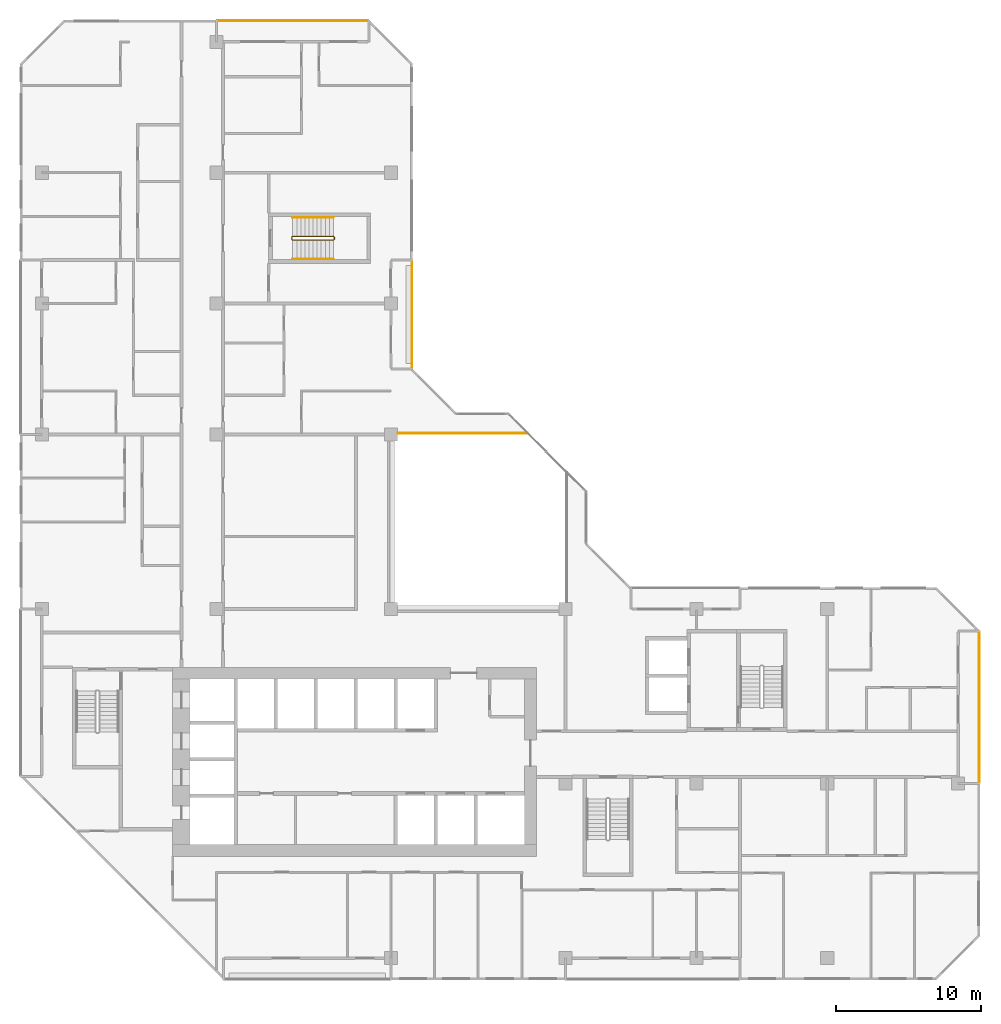
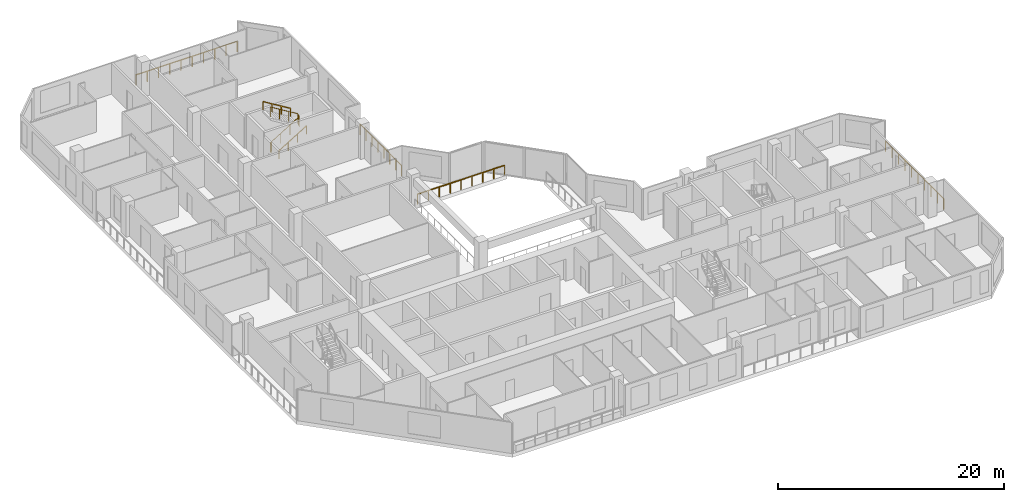
# One storey, part 14 of 14: 7 railings.
"""IFC4 building model written with IfcOpenShell, lengths in metres."""

from ifc_helpers import new_model, si_unit, direction, frame, origin, origin_2d, place, context, subcontext, project, spatial, rectangle, extrude, material, type_object, element, save


model = new_model("IFC4")

# Units and contexts
model_context = context("Model", 3, precision=1e-05, world=origin(), true_north=direction((0.0, 1.0)))
body_context = subcontext(model_context, "Body", "Model", "MODEL_VIEW")
ifc_project = project(units=[si_unit("LENGTHUNIT", "METRE"), si_unit("AREAUNIT", "SQUARE_METRE"), si_unit("VOLUMEUNIT", "CUBIC_METRE"), si_unit("PLANEANGLEUNIT", "RADIAN"), si_unit("MASSUNIT", "GRAM", prefix="KILO")], contexts=[model_context])

# Site, building, storey
site_placement = place(None, origin())
site = spatial("IfcSite", under=ifc_project, at=site_placement, CompositionType="ELEMENT")
building_placement = place(site_placement, origin())
building = spatial("IfcBuilding", under=site, at=building_placement, Name="Chenar Terraces", CompositionType="ELEMENT")
storey_placement = place(building_placement, frame((0.0, 0.0, 183.64990234375)))
storey = spatial("IfcBuildingStorey", under=building, at=storey_placement, Name="L42", CompositionType="ELEMENT", Elevation=183.64990234375)

# Railings
ifc_material_1 = material(Name="Powder-coated steel", Category="steel")
railing_type_1 = type_object("IfcRailingType", Name="Guard 1100 steel rail with glass infill", PredefinedType="GUARDRAIL", material=ifc_material_1)
railing_1_placement = place(storey_placement, frame((24.5, 36.10009765625, 0.0)))
element("IfcRailing", 1, at=railing_1_placement, inside=storey, type_object=railing_type_1, Name="Guard L42-2", PredefinedType="GUARDRAIL", context=body_context, shape_type="SweptSolid", body=[
    extrude(rectangle(XDim=0.06005859375, YDim=0.06005859375, at=origin_2d()), frame((0.0, 0.0, 1.070068359375), z_axis=(1.0, 0.0, 0.0), x_axis=(0.0, 1.0, 0.0)), (0.0, 0.0, 1.0), 8.89990234375),
    extrude(rectangle(XDim=0.050048828125, YDim=0.050048828125, at=origin_2d()), origin(), (0.0, 0.0, 1.0), 1.0400390625),
    extrude(rectangle(XDim=0.050048828125, YDim=0.050048828125, at=origin_2d()), frame((1.112548828125, 0.0, 0.0)), (0.0, 0.0, 1.0), 1.0400390625),
    extrude(rectangle(XDim=0.050048828125, YDim=0.050048828125, at=origin_2d()), frame((2.22509765625, 0.0, 0.0)), (0.0, 0.0, 1.0), 1.0400390625),
    extrude(rectangle(XDim=0.050048828125, YDim=0.050048828125, at=origin_2d()), frame((3.33740234375, 0.0, 0.0)), (0.0, 0.0, 1.0), 1.0400390625),
    extrude(rectangle(XDim=0.050048828125, YDim=0.050048828125, at=origin_2d()), frame((4.449951171875, 0.0, 0.0)), (0.0, 0.0, 1.0), 1.0400390625),
    extrude(rectangle(XDim=0.050048828125, YDim=0.050048828125, at=origin_2d()), frame((5.5625, 0.0, 0.0)), (0.0, 0.0, 1.0), 1.0400390625),
    extrude(rectangle(XDim=0.050048828125, YDim=0.050048828125, at=origin_2d()), frame((6.6748046875, 0.0, 0.0)), (0.0, 0.0, 1.0), 1.0400390625),
    extrude(rectangle(XDim=0.050048828125, YDim=0.050048828125, at=origin_2d()), frame((7.787353515625, 0.0, 0.0)), (0.0, 0.0, 1.0), 1.0400390625),
    extrude(rectangle(XDim=0.050048828125, YDim=0.050048828125, at=origin_2d()), frame((8.89990234375, 0.0, 0.0)), (0.0, 0.0, 1.0), 1.0400390625),
])
ifc_material_2 = material(Name="Stainless steel and glass", Category="steel")
railing_type_2 = type_object("IfcRailingType", Name="Loggia guard 1150", PredefinedType="GUARDRAIL", material=ifc_material_2)
railing_2_placement = place(storey_placement, frame((25.449951171875, 40.574951171875, 0.0)))
element("IfcRailing", 2, at=railing_2_placement, inside=storey, type_object=railing_type_2, Name="Loggia guard", PredefinedType="GUARDRAIL", context=body_context, shape_type="SweptSolid", body=[
    extrude(rectangle(XDim=0.048095703125, YDim=0.048095703125, at=origin_2d()), frame((0.0, 0.0, 1.1259765625), z_axis=(0.0, 1.0, 0.0), x_axis=(-1.0, 0.0, 0.0)), (0.0, 0.0, 1.0), 7.35009765625),
    extrude(rectangle(XDim=0.0419921875, YDim=0.0419921875, at=origin_2d()), origin(), (0.0, 0.0, 1.0), 1.101806640625),
    extrude(rectangle(XDim=0.0419921875, YDim=0.0419921875, at=origin_2d()), frame((0.0, 1.050048828125, 0.0)), (0.0, 0.0, 1.0), 1.101806640625),
    extrude(rectangle(XDim=0.0419921875, YDim=0.0419921875, at=origin_2d()), frame((0.0, 2.10009765625, 0.0)), (0.0, 0.0, 1.0), 1.101806640625),
    extrude(rectangle(XDim=0.0419921875, YDim=0.0419921875, at=origin_2d()), frame((0.0, 3.150146484375, 0.0)), (0.0, 0.0, 1.0), 1.101806640625),
    extrude(rectangle(XDim=0.0419921875, YDim=0.0419921875, at=origin_2d()), frame((0.0, 4.199951171875, 0.0)), (0.0, 0.0, 1.0), 1.101806640625),
    extrude(rectangle(XDim=0.0419921875, YDim=0.0419921875, at=origin_2d()), frame((0.0, 5.25, 0.0)), (0.0, 0.0, 1.0), 1.101806640625),
    extrude(rectangle(XDim=0.0419921875, YDim=0.0419921875, at=origin_2d()), frame((0.0, 6.300048828125, 0.0)), (0.0, 0.0, 1.0), 1.101806640625),
    extrude(rectangle(XDim=0.0419921875, YDim=0.0419921875, at=origin_2d()), frame((0.0, 7.35009765625, 0.0)), (0.0, 0.0, 1.0), 1.101806640625),
])
railing_3_placement = place(storey_placement, frame((64.449951171875, 12.074951171875, 0.0)))
element("IfcRailing", 3, at=railing_3_placement, inside=storey, type_object=railing_type_2, Name="Loggia guard", PredefinedType="GUARDRAIL", context=body_context, shape_type="SweptSolid", body=[
    extrude(rectangle(XDim=0.048095703125, YDim=0.048095703125, at=origin_2d()), frame((0.0, 0.0, 1.1259765625), z_axis=(0.0, 1.0, 0.0), x_axis=(-1.0, 0.0, 0.0)), (0.0, 0.0, 1.0), 10.35009765625),
    extrude(rectangle(XDim=0.0419921875, YDim=0.0419921875, at=origin_2d()), origin(), (0.0, 0.0, 1.0), 1.101806640625),
    extrude(rectangle(XDim=0.0419921875, YDim=0.0419921875, at=origin_2d()), frame((0.0, 1.14990234375, 0.0)), (0.0, 0.0, 1.0), 1.101806640625),
    extrude(rectangle(XDim=0.0419921875, YDim=0.0419921875, at=origin_2d()), frame((0.0, 2.300048828125, 0.0)), (0.0, 0.0, 1.0), 1.101806640625),
    extrude(rectangle(XDim=0.0419921875, YDim=0.0419921875, at=origin_2d()), frame((0.0, 3.449951171875, 0.0)), (0.0, 0.0, 1.0), 1.101806640625),
    extrude(rectangle(XDim=0.0419921875, YDim=0.0419921875, at=origin_2d()), frame((0.0, 4.60009765625, 0.0)), (0.0, 0.0, 1.0), 1.101806640625),
    extrude(rectangle(XDim=0.0419921875, YDim=0.0419921875, at=origin_2d()), frame((0.0, 5.75, 0.0)), (0.0, 0.0, 1.0), 1.101806640625),
    extrude(rectangle(XDim=0.0419921875, YDim=0.0419921875, at=origin_2d()), frame((0.0, 6.900146484375, 0.0)), (0.0, 0.0, 1.0), 1.101806640625),
    extrude(rectangle(XDim=0.0419921875, YDim=0.0419921875, at=origin_2d()), frame((0.0, 8.050048828125, 0.0)), (0.0, 0.0, 1.0), 1.101806640625),
    extrude(rectangle(XDim=0.0419921875, YDim=0.0419921875, at=origin_2d()), frame((0.0, 9.2001953125, 0.0)), (0.0, 0.0, 1.0), 1.101806640625),
    extrude(rectangle(XDim=0.0419921875, YDim=0.0419921875, at=origin_2d()), frame((0.0, 10.35009765625, 0.0)), (0.0, 0.0, 1.0), 1.101806640625),
])
railing_4_placement = place(storey_placement, frame((22.425048828125, 64.449951171875, 0.0)))
element("IfcRailing", 4, at=railing_4_placement, inside=storey, type_object=railing_type_2, Name="Loggia guard", PredefinedType="GUARDRAIL", context=body_context, shape_type="SweptSolid", body=[
    extrude(rectangle(XDim=0.048095703125, YDim=0.048095703125, at=origin_2d()), frame((0.0, 0.0, 1.1259765625), z_axis=(-1.0, 0.0, 0.0), x_axis=(0.0, -1.0, 0.0)), (0.0, 0.0, 1.0), 10.35009765625),
    extrude(rectangle(XDim=0.0419921875, YDim=0.0419921875, at=origin_2d()), origin(), (0.0, 0.0, 1.0), 1.101806640625),
    extrude(rectangle(XDim=0.0419921875, YDim=0.0419921875, at=origin_2d()), frame((-1.14990234375, 0.0, 0.0)), (0.0, 0.0, 1.0), 1.101806640625),
    extrude(rectangle(XDim=0.0419921875, YDim=0.0419921875, at=origin_2d()), frame((-2.300048828125, 0.0, 0.0)), (0.0, 0.0, 1.0), 1.101806640625),
    extrude(rectangle(XDim=0.0419921875, YDim=0.0419921875, at=origin_2d()), frame((-3.449951171875, 0.0, 0.0)), (0.0, 0.0, 1.0), 1.101806640625),
    extrude(rectangle(XDim=0.0419921875, YDim=0.0419921875, at=origin_2d()), frame((-4.60009765625, 0.0, 0.0)), (0.0, 0.0, 1.0), 1.101806640625),
    extrude(rectangle(XDim=0.0419921875, YDim=0.0419921875, at=origin_2d()), frame((-5.75, 0.0, 0.0)), (0.0, 0.0, 1.0), 1.101806640625),
    extrude(rectangle(XDim=0.0419921875, YDim=0.0419921875, at=origin_2d()), frame((-6.900146484375, 0.0, 0.0)), (0.0, 0.0, 1.0), 1.101806640625),
    extrude(rectangle(XDim=0.0419921875, YDim=0.0419921875, at=origin_2d()), frame((-8.050048828125, 0.0, 0.0)), (0.0, 0.0, 1.0), 1.101806640625),
    extrude(rectangle(XDim=0.0419921875, YDim=0.0419921875, at=origin_2d()), frame((-9.2001953125, 0.0, 0.0)), (0.0, 0.0, 1.0), 1.101806640625),
    extrude(rectangle(XDim=0.0419921875, YDim=0.0419921875, at=origin_2d()), frame((-10.35009765625, 0.0, 0.0)), (0.0, 0.0, 1.0), 1.101806640625),
])
ifc_material_3 = material(Name="Powder-coated steel", Category="steel")
railing_type_3 = type_object("IfcRailingType", Name="Stair guard 1100", PredefinedType="GUARDRAIL", material=ifc_material_3)
railing_5_placement = place(storey_placement, frame((17.25, 49.625, 3.75)))
element("IfcRailing", 5, at=railing_5_placement, inside=storey, type_object=railing_type_3, Name="L42 ST4 stair guard 1", PredefinedType="GUARDRAIL", context=body_context, shape_type="SweptSolid", body=[
    extrude(rectangle(XDim=0.048095703125, YDim=0.048095703125, at=origin_2d()), frame((0.0, 0.0, 1.076171875), z_axis=(0.854202870247, 0.0, -0.519939858505), x_axis=(0.0, 1.0, 0.0)), (0.0, 0.0, 1.0), 3.278076171875),
    extrude(rectangle(XDim=0.048095703125, YDim=0.048095703125, at=origin_2d()), frame((2.800048828125, 0.0, -0.62841796875), z_axis=(0.270899902878, -0.270899902878, -0.923702595667), x_axis=(0.707106781187, 0.707106781187, 0.0)), (0.0, 0.0, 1.0), 0.184814453125),
    extrude(rectangle(XDim=0.048095703125, YDim=0.048095703125, at=origin_2d()), frame((2.85009765625, -0.050048828125, -0.798828125), z_axis=(0.0, -1.0, 0.0), x_axis=(1.0, 0.0, 0.0)), (0.0, 0.0, 1.0), 0.14990234375),
    extrude(rectangle(XDim=0.048095703125, YDim=0.048095703125, at=origin_2d()), frame((2.85009765625, -0.199951171875, -0.798828125), z_axis=(-0.707106781187, -0.707106781187, 0.0), x_axis=(0.707106781187, -0.707106781187, 0.0)), (0.0, 0.0, 1.0), 0.07080078125),
    extrude(rectangle(XDim=0.048095703125, YDim=0.048095703125, at=origin_2d()), frame((2.800048828125, -0.25, -0.798828125), z_axis=(-0.854202870247, 0.0, -0.519939858505), x_axis=(0.0, -1.0, 0.0)), (0.0, 0.0, 1.0), 3.278076171875),
    extrude(rectangle(XDim=0.048095703125, YDim=0.048095703125, at=origin_2d()), frame((0.0, -0.25, -2.50341796875), z_axis=(-0.270899902878, 0.270899902878, -0.923702595667), x_axis=(-0.707106781187, -0.707106781187, 0.0)), (0.0, 0.0, 1.0), 0.184814453125),
    extrude(rectangle(XDim=0.048095703125, YDim=0.048095703125, at=origin_2d()), frame((-0.050048828125, -0.199951171875, -2.673828125), z_axis=(0.0, 1.0, 0.0), x_axis=(-1.0, 0.0, 0.0)), (0.0, 0.0, 1.0), 0.14990234375),
    extrude(rectangle(XDim=0.0419921875, YDim=0.0419921875, at=origin_2d()), origin(), (0.0, 0.0, 1.0), 1.052001953125),
    extrude(rectangle(XDim=0.0419921875, YDim=0.0419921875, at=origin_2d()), frame((0.933349609375, 0.0, -0.568115234375)), (0.0, 0.0, 1.0), 1.052001953125),
    extrude(rectangle(XDim=0.0419921875, YDim=0.0419921875, at=origin_2d()), frame((1.86669921875, 0.0, -1.13623046875)), (0.0, 0.0, 1.0), 1.052001953125),
    extrude(rectangle(XDim=0.0419921875, YDim=0.0419921875, at=origin_2d()), frame((2.800048828125, 0.0, -1.704345703125)), (0.0, 0.0, 1.0), 1.052001953125),
    extrude(rectangle(XDim=0.0419921875, YDim=0.0419921875, at=origin_2d()), frame((2.85009765625, -0.050048828125, -1.875)), (0.0, 0.0, 1.0), 1.052001953125),
    extrude(rectangle(XDim=0.0419921875, YDim=0.0419921875, at=origin_2d()), frame((2.85009765625, -0.199951171875, -1.875)), (0.0, 0.0, 1.0), 1.052001953125),
    extrude(rectangle(XDim=0.0419921875, YDim=0.0419921875, at=origin_2d()), frame((2.800048828125, -0.25, -1.875)), (0.0, 0.0, 1.0), 1.052001953125),
    extrude(rectangle(XDim=0.0419921875, YDim=0.0419921875, at=origin_2d()), frame((1.86669921875, -0.25, -2.443115234375)), (0.0, 0.0, 1.0), 1.052001953125),
    extrude(rectangle(XDim=0.0419921875, YDim=0.0419921875, at=origin_2d()), frame((0.933349609375, -0.25, -3.01123046875)), (0.0, 0.0, 1.0), 1.052001953125),
    extrude(rectangle(XDim=0.0419921875, YDim=0.0419921875, at=origin_2d()), frame((0.0, -0.25, -3.579345703125)), (0.0, 0.0, 1.0), 1.052001953125),
    extrude(rectangle(XDim=0.0419921875, YDim=0.0419921875, at=origin_2d()), frame((-0.050048828125, -0.199951171875, -3.75)), (0.0, 0.0, 1.0), 1.052001953125),
    extrude(rectangle(XDim=0.0419921875, YDim=0.0419921875, at=origin_2d()), frame((-0.050048828125, -0.050048828125, -3.75)), (0.0, 0.0, 1.0), 1.052001953125),
])
ifc_material_4 = material(Name="Powder-coated steel", Category="steel")
railing_type_4 = type_object("IfcRailingType", Name="Stair handrail 900", PredefinedType="HANDRAIL", material=ifc_material_4)
railing_6_placement = place(storey_placement, frame((17.25, 48.074951171875, 0.170654296875)))
element("IfcRailing", 6, at=railing_6_placement, inside=storey, type_object=railing_type_4, Name="L42 ST4 stair handrail 1", PredefinedType="HANDRAIL", context=body_context, shape_type="SweptSolid", body=[
    extrude(rectangle(XDim=0.048095703125, YDim=0.048095703125, at=origin_2d()), frame((0.0, 0.0, 0.8759765625), z_axis=(0.854202870247, 0.0, 0.519939858505), x_axis=(0.0, 1.0, 0.0)), (0.0, 0.0, 1.0), 3.278076171875),
    extrude(rectangle(XDim=0.0419921875, YDim=0.0419921875, at=origin_2d()), origin(), (0.0, 0.0, 1.0), 0.851806640625),
    extrude(rectangle(XDim=0.0419921875, YDim=0.0419921875, at=origin_2d()), frame((0.933349609375, 0.0, 0.568115234375)), (0.0, 0.0, 1.0), 0.851806640625),
    extrude(rectangle(XDim=0.0419921875, YDim=0.0419921875, at=origin_2d()), frame((1.86669921875, 0.0, 1.13623046875)), (0.0, 0.0, 1.0), 0.851806640625),
    extrude(rectangle(XDim=0.0419921875, YDim=0.0419921875, at=origin_2d()), frame((2.800048828125, 0.0, 1.704345703125)), (0.0, 0.0, 1.0), 0.851806640625),
])
railing_7_placement = place(storey_placement, frame((20.050048828125, 50.925048828125, 2.045654296875)))
element("IfcRailing", 7, at=railing_7_placement, inside=storey, type_object=railing_type_4, Name="L42 ST4 stair handrail 2", PredefinedType="HANDRAIL", context=body_context, shape_type="SweptSolid", body=[
    extrude(rectangle(XDim=0.048095703125, YDim=0.048095703125, at=origin_2d()), frame((0.0, 0.0, 0.8759765625), z_axis=(-0.854202870247, 0.0, 0.519939858505), x_axis=(0.0, -1.0, 0.0)), (0.0, 0.0, 1.0), 3.278076171875),
    extrude(rectangle(XDim=0.0419921875, YDim=0.0419921875, at=origin_2d()), origin(), (0.0, 0.0, 1.0), 0.851806640625),
    extrude(rectangle(XDim=0.0419921875, YDim=0.0419921875, at=origin_2d()), frame((-0.933349609375, 0.0, 0.568115234375)), (0.0, 0.0, 1.0), 0.851806640625),
    extrude(rectangle(XDim=0.0419921875, YDim=0.0419921875, at=origin_2d()), frame((-1.86669921875, 0.0, 1.13623046875)), (0.0, 0.0, 1.0), 0.851806640625),
    extrude(rectangle(XDim=0.0419921875, YDim=0.0419921875, at=origin_2d()), frame((-2.800048828125, 0.0, 1.704345703125)), (0.0, 0.0, 1.0), 0.851806640625),
])

save(model, "model.ifc")
